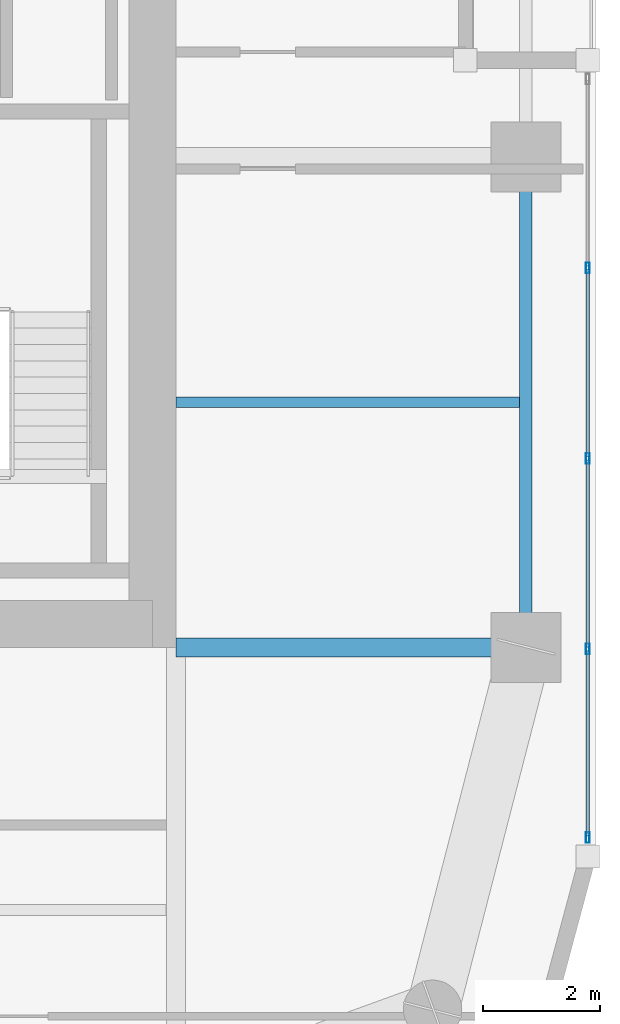
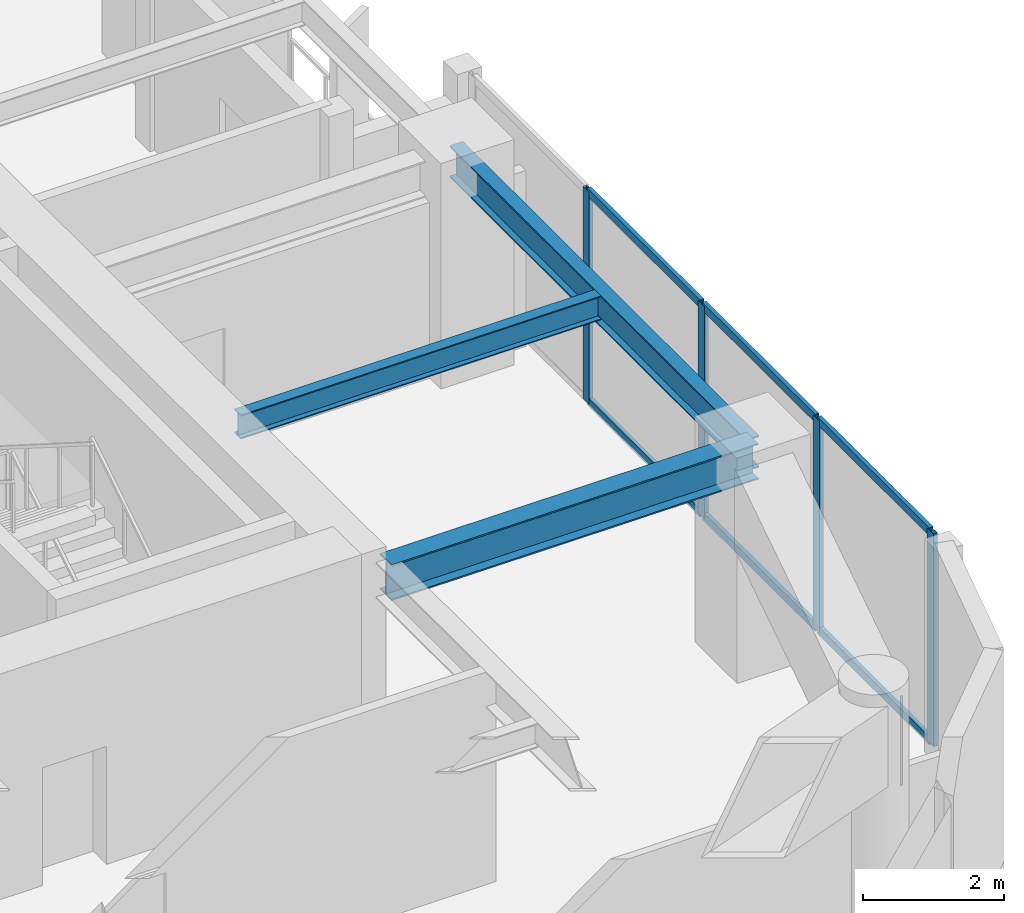
# One storey, part 9 of 30: 10 members, 3 beams, 1 element without a shape of its own.
"""IFC4 building model written with IfcOpenShell, lengths in metres."""

import ifcopenshell
import ifcopenshell.guid

model = None  # the IFC model being written
_history = None  # IfcOwnerHistory: only IFC2X3 demands one
_inside = {}  # id of a spatial element -> (the spatial element, [elements in it])
_under = {}  # id of a project, library or spatial element -> (it, [spatial elements below it])
_declared = {}  # id of a project -> (the project, [libraries it declares])
_typed = {}  # id of a type object -> (the type object, [elements of that type])
_made_of = {}  # id of a material, layer set ... -> (it, [elements and type objects made of it])


def new_model(schema):
    """Start an empty IFC model of exactly this schema.

    Asked for "IFC4X3", IfcOpenShell would pick the latest addendum, in which some entities
    have other attributes; the version numbers below select the first issue.
    IFC2X3 requires an IfcOwnerHistory on every rooted entity: one is made here for all.
    """
    global model, _history
    if schema == "IFC4X3":
        model = ifcopenshell.file(schema_version=(4, 3, 0, 0))
    else:
        model = ifcopenshell.file(schema=schema)
    _inside.clear()
    _under.clear()
    _declared.clear()
    _typed.clear()
    _made_of.clear()
    _history = None
    if model.schema == "IFC2X3":
        org = make("IfcOrganization", Name="unknown")
        user = make(
            "IfcPersonAndOrganization",
            ThePerson=make("IfcPerson", FamilyName="unknown"),
            TheOrganization=org,
        )
        app = make(
            "IfcApplication",
            ApplicationDeveloper=org,
            Version="unknown",
            ApplicationFullName="unknown",
            ApplicationIdentifier="unknown",
        )
        _history = make(
            "IfcOwnerHistory",
            OwningUser=user,
            OwningApplication=app,
            ChangeAction="ADDED",
            CreationDate=0,
        )
    return model


def make(cls, **values):
    """One entity of the class cls with the attributes given. An attribute that is None is left unset."""
    return model.create_entity(
        cls, **{name: value for name, value in values.items() if value is not None}
    )


def rooted(cls, **values):
    """An entity with a GlobalId (a new one), such as an element, a storey or a relation."""
    return make(cls, GlobalId=ifcopenshell.guid.new(), OwnerHistory=_history, **values)


def si_unit(unit_type, name, prefix=None):
    """IfcSIUnit, for example si_unit("LENGTHUNIT", "METRE", prefix="MILLI")."""
    return make("IfcSIUnit", UnitType=unit_type, Prefix=prefix, Name=name)


def assignment(units):
    """IfcUnitAssignment: the units of a project."""
    return None if units is None else make("IfcUnitAssignment", Units=units)


def point(xyz):
    """IfcCartesianPoint."""
    return None if xyz is None else make("IfcCartesianPoint", Coordinates=xyz)


def direction(xyz):
    """IfcDirection."""
    return None if xyz is None else make("IfcDirection", DirectionRatios=xyz)


def frame(location, z_axis=None, x_axis=None):
    """IfcAxis2Placement3D, a coordinate frame: its origin and axes. An axis left out is left unset."""
    return make(
        "IfcAxis2Placement3D",
        Location=point(location),
        Axis=direction(z_axis),
        RefDirection=direction(x_axis),
    )


def frame_2d(location, x_axis=None):
    """IfcAxis2Placement2D, a coordinate frame in the plane: its origin and x axis."""
    return make(
        "IfcAxis2Placement2D", Location=point(location), RefDirection=direction(x_axis)
    )


def origin():
    """The frame at (0, 0, 0) with its axes left unset."""
    return frame((0.0, 0.0, 0.0))


def origin_2d():
    """The frame at (0, 0) in the plane with its x axis left unset."""
    return frame_2d((0.0, 0.0))


def place(relative_to, where):
    """IfcLocalPlacement: puts the frame where relative to a parent placement (None: the world)."""
    return make(
        "IfcLocalPlacement", PlacementRelTo=relative_to, RelativePlacement=where
    )


def context(
    kind, dimensions, precision=None, world=None, true_north=None, identifier=None
):
    """IfcGeometricRepresentationContext, for example the 3D "Model" context."""
    return make(
        "IfcGeometricRepresentationContext",
        ContextIdentifier=identifier,
        ContextType=kind,
        CoordinateSpaceDimension=dimensions,
        Precision=precision,
        WorldCoordinateSystem=world,
        TrueNorth=true_north,
    )


def subcontext(parent, identifier, kind, view, scale=None):
    """IfcGeometricRepresentationSubContext, for example "Body" below "Model"."""
    return make(
        "IfcGeometricRepresentationSubContext",
        ContextIdentifier=identifier,
        ContextType=kind,
        ParentContext=parent,
        TargetScale=scale,
        TargetView=view,
    )


def project(units=None, contexts=None):
    """IfcProject with its units and contexts."""
    return rooted(
        "IfcProject",
        Name="project",
        RepresentationContexts=contexts,
        UnitsInContext=assignment(units),
    )


def spatial(cls, under=None, at=None, **own):
    """A site, building, storey or space (cls), placed at a placement, below another one or the project."""
    s = rooted(cls, ObjectPlacement=at, **own)
    if under is not None:
        _under.setdefault(under.id(), (under, []))[1].append(s)
    return s


def profile(cls, at=None, kind="AREA", **sizes):
    """A parametric profile (cls). Its sizes go by their IFC names, for example OverallWidth=200.0."""
    return make(cls, ProfileType=kind, Position=at, **sizes)


def hollow_rectangle(**sizes):
    """IfcRectangleHollowProfileDef."""
    return profile("IfcRectangleHollowProfileDef", **sizes)


def i_section(**sizes):
    """IfcIShapeProfileDef."""
    return profile("IfcIShapeProfileDef", **sizes)


def extrude(swept, where, along, depth):
    """IfcExtrudedAreaSolid: the profile swept, set in the frame where, extruded along a direction by depth."""
    return make(
        "IfcExtrudedAreaSolid",
        SweptArea=swept,
        Position=where,
        ExtrudedDirection=direction(along),
        Depth=depth,
    )


def shape(context_of_items, identifier, shape_type, items):
    """IfcShapeRepresentation: the items that make up one representation, for example the "Body"."""
    return make(
        "IfcShapeRepresentation",
        ContextOfItems=context_of_items,
        RepresentationIdentifier=identifier,
        RepresentationType=shape_type,
        Items=items,
    )


def material(Name=None, Category=None):
    """IfcMaterial."""
    return make("IfcMaterial", Name=Name, Category=Category)


def layer(
    of_material, thickness, ventilated=None, Name=None, Category=None, Priority=None
):
    """IfcMaterialLayer: one layer of a wall or slab, of a material (None: an air gap)."""
    return make(
        "IfcMaterialLayer",
        Material=of_material,
        LayerThickness=thickness,
        IsVentilated=ventilated,
        Name=Name,
        Category=Category,
        Priority=Priority,
    )


def layer_set(layers, Name=None):
    """IfcMaterialLayerSet."""
    return make("IfcMaterialLayerSet", MaterialLayers=layers, LayerSetName=Name)


def material_profile(
    of_material, cross_section, Name=None, Category=None, Priority=None
):
    """IfcMaterialProfile: a cross section and its material."""
    return make(
        "IfcMaterialProfile",
        Name=Name,
        Material=of_material,
        Profile=cross_section,
        Priority=Priority,
        Category=Category,
    )


def profile_set(profiles, Name=None, composite=None):
    """IfcMaterialProfileSet."""
    return make(
        "IfcMaterialProfileSet",
        Name=Name,
        MaterialProfiles=profiles,
        CompositeProfile=composite,
    )


def made_of(thing, what):
    """Note that an element or type object is made of a material, layer set ...; save() writes the relation."""
    if what is not None:
        _made_of.setdefault(what.id(), (what, []))[1].append(thing)
    return thing


def type_object(cls, material=None, **own):
    """A type object (cls), such as IfcWallType, which elements share."""
    return made_of(rooted(cls, **own), material)


def element(
    cls,
    number,
    at=None,
    inside=None,
    cuts=None,
    type_object=None,
    material=None,
    context=None,
    identifier="Body",
    shape_type=None,
    held_by="IfcProductDefinitionShape",
    body=None,
    shapes=None,
    **own,
):
    """One element of the class cls, such as IfcWall. Its Tag is "e" and its number.

    at: its placement. inside: the storey or other place that contains it. cuts: it is an
    opening in that element (IfcRelVoidsElement). A single representation is given by context,
    identifier, shape_type and body (its items); several are given by shapes. held_by: the class
    of the entity that holds the representations. save() writes the other relations.
    """
    e = rooted(cls, Tag="e%d" % number, ObjectPlacement=at, **own)
    if body is not None:
        shapes = [shape(context, identifier, shape_type, body)]
    if shapes is not None:
        e.Representation = make(held_by, Representations=shapes)
    if inside is not None:
        _inside.setdefault(inside.id(), (inside, []))[1].append(e)
    if cuts is not None:
        rooted(
            "IfcRelVoidsElement", RelatingBuildingElement=cuts, RelatedOpeningElement=e
        )
    if type_object is not None:
        _typed.setdefault(type_object.id(), (type_object, []))[1].append(e)
    return made_of(e, material)


def aggregate(whole, parts):
    """IfcRelAggregates: a whole, such as a stair, and the parts it consists of."""
    return rooted("IfcRelAggregates", RelatingObject=whole, RelatedObjects=parts)


def save(model, path):
    """Write the relations noted so far, then the file.

    IfcRelAggregates (storeys below a building ...), IfcRelContainedInSpatialStructure (elements
    in a storey), IfcRelDefinesByType, IfcRelAssociatesMaterial and IfcRelDeclares: one each for
    every whole, place, type object, material and project.
    """
    for whole, parts in _under.values():
        aggregate(whole, parts)
    for where, things in _inside.values():
        rooted(
            "IfcRelContainedInSpatialStructure",
            RelatedElements=things,
            RelatingStructure=where,
        )
    for kind, things in _typed.values():
        rooted("IfcRelDefinesByType", RelatedObjects=things, RelatingType=kind)
    for what, things in _made_of.values():
        rooted("IfcRelAssociatesMaterial", RelatedObjects=things, RelatingMaterial=what)
    for by, libraries in _declared.values():
        rooted("IfcRelDeclares", RelatingContext=by, RelatedDefinitions=libraries)
    model.write(path)


model = new_model("IFC4")

# Units and contexts
model_context = context("Model", 3, precision=1e-05, world=origin(), true_north=direction((0.0, 1.0)))
body_context = subcontext(model_context, "Body", "Model", "MODEL_VIEW")
ifc_project = project(units=[si_unit("LENGTHUNIT", "METRE"), si_unit("AREAUNIT", "SQUARE_METRE"), si_unit("VOLUMEUNIT", "CUBIC_METRE"), si_unit("PLANEANGLEUNIT", "RADIAN"), si_unit("MASSUNIT", "GRAM", prefix="KILO")], contexts=[model_context])

# Site, building, storey
site_placement = place(None, origin())
site = spatial("IfcSite", under=ifc_project, at=site_placement, CompositionType="ELEMENT")
building_placement = place(site_placement, origin())
building = spatial("IfcBuilding", under=site, at=building_placement, Name="Kiyonajd Concourse Tower", CompositionType="ELEMENT")
storey_placement = place(building_placement, frame((0.0, 0.0, 177.89990234375)))
storey = spatial("IfcBuildingStorey", under=building, at=storey_placement, Name="L45", CompositionType="ELEMENT", Elevation=177.89990234375)

# Beams
ifc_material_1 = material(Name="Steel ASTM A992 Grade 50", Category="steel")
ifc_material_profile_1 = material_profile(ifc_material_1, i_section(OverallWidth=0.180908203125, OverallDepth=0.4169921875, WebThickness=0.010986328125, FlangeThickness=0.018310546875, at=origin_2d()), Name="W410X85")
ifc_profile_set_1 = profile_set([ifc_material_profile_1], Name="Steel ASTM A992 Grade 50")
beam_type_1 = type_object("IfcBeamType", Name="BM-JST-410", PredefinedType="JOIST", material=ifc_profile_set_1)
beam_1_placement = place(storey_placement, frame((63.60009765625, 31.800048828125, 3.4716796875), z_axis=(1.0, 0.0, 0.0), x_axis=(0.0, 1.0, 0.0)))
element("IfcBeam", 1, at=beam_1_placement, inside=storey, type_object=beam_type_1, Name="L45 East Secondary Floor Joist", PredefinedType="JOIST", context=body_context, shape_type="SweptSolid", body=[
    extrude(i_section(OverallWidth=0.180908203125, OverallDepth=0.4169921875, WebThickness=0.010986328125, FlangeThickness=0.018310546875, at=origin_2d()), origin(), (0.0, 0.0, 1.0), 5.892822265625),
])
ifc_material_profile_2 = material_profile(ifc_material_1, i_section(OverallWidth=0.214111328125, OverallDepth=0.549072265625, WebThickness=0.0146484375, FlangeThickness=0.023681640625, at=origin_2d()), Name="W530X138")
ifc_profile_set_2 = profile_set([ifc_material_profile_2], Name="Steel ASTM A992 Grade 50")
beam_type_2 = type_object("IfcBeamType", Name="BM-SPAN-530A", PredefinedType="SPANDREL", material=ifc_profile_set_2)
beam_2_placement = place(storey_placement, frame((69.60009765625, 27.60009765625, 3.405517578125), z_axis=(0.0, 1.0, 0.0), x_axis=(-1.0, 0.0, 0.0)))
element("IfcBeam", 2, at=beam_2_placement, inside=storey, type_object=beam_type_2, Name="L45 Perimeter Bundled Tube Spandrel", PredefinedType="SPANDREL", context=body_context, shape_type="SweptSolid", body=[
    extrude(i_section(OverallWidth=0.214111328125, OverallDepth=0.549072265625, WebThickness=0.0146484375, FlangeThickness=0.023681640625, at=origin_2d()), origin(), (0.0, 0.0, 1.0), 8.39990234375),
])
ifc_material_profile_3 = material_profile(ifc_material_1, i_section(OverallWidth=0.326904296875, OverallDepth=0.6220703125, WebThickness=0.015380859375, FlangeThickness=0.0244140625, at=origin_2d()), Name="W610X195")
ifc_profile_set_3 = profile_set([ifc_material_profile_3], Name="Steel ASTM A992 Grade 50")
beam_type_3 = type_object("IfcBeamType", Name="BM-TWR-610A", PredefinedType="BEAM", material=ifc_profile_set_3)
beam_3_placement = place(storey_placement, frame((63.60009765625, 27.60009765625, 3.369140625), z_axis=(1.0, 0.0, 0.0), x_axis=(0.0, 1.0, 0.0)))
element("IfcBeam", 3, at=beam_3_placement, inside=storey, type_object=beam_type_3, Name="L45 East Lease Girder", PredefinedType="BEAM", context=body_context, shape_type="SweptSolid", body=[
    extrude(i_section(OverallWidth=0.326904296875, OverallDepth=0.6220703125, WebThickness=0.015380859375, FlangeThickness=0.0244140625, at=origin_2d()), origin(), (0.0, 0.0, 1.0), 6.0),
])

# Curtain wall, members
ifc_material_2 = material(Name="Thermally Broken Anodised Aluminium", Category="aluminium")
ifc_layer = layer(ifc_material_2, 0.179931640625)
ifc_layer_set = layer_set([ifc_layer], Name="Thermally Broken Anodised Aluminium")
curtain_wall_type = type_object("IfcCurtainWallType", Name="CW-SYS-03", PredefinedType="NOTDEFINED", material=ifc_layer_set)
curtain_wall_placement = place(storey_placement, origin())
curtain_wall = element("IfcCurtainWall", 4, at=curtain_wall_placement, inside=storey, type_object=curtain_wall_type, Name="L45 Unitised Curtain Wall CW3", PredefinedType="NOTDEFINED")
ifc_material_profile_4 = material_profile(ifc_material_2, hollow_rectangle(XDim=0.06494140625, YDim=0.179931640625, WallThickness=0.00390625, at=origin_2d()), Name="MULL-65x180")
ifc_profile_set_4 = profile_set([ifc_material_profile_4], Name="Thermally Broken Anodised Aluminium")
member_type_1 = type_object("IfcMemberType", Name="MB-CW-MULL1", PredefinedType="MULLION", material=ifc_profile_set_4)
member_1_placement = place(storey_placement, frame((70.659912109375, 34.1044921875, 0.0), z_axis=(0.0, 0.0, 1.0), x_axis=(1.0, 0.0, 0.0)))
member_1 = element("IfcMember", 5, at=member_1_placement, type_object=member_type_1, Name="CW3 mullion 2", PredefinedType="MULLION", context=body_context, shape_type="SweptSolid", body=[
    extrude(hollow_rectangle(XDim=0.06494140625, YDim=0.179931640625, WallThickness=0.00390625, at=origin_2d()), origin(), (0.0, 0.0, 1.0), 3.68017578125),
])
member_2_placement = place(storey_placement, frame((70.659912109375, 30.839111328125, 0.0), z_axis=(0.0, 0.0, 1.0), x_axis=(1.0, 0.0, 0.0)))
member_2 = element("IfcMember", 6, at=member_2_placement, type_object=member_type_1, Name="CW3 mullion 3", PredefinedType="MULLION", context=body_context, shape_type="SweptSolid", body=[
    extrude(hollow_rectangle(XDim=0.06494140625, YDim=0.179931640625, WallThickness=0.00390625, at=origin_2d()), origin(), (0.0, 0.0, 1.0), 3.68017578125),
])
member_3_placement = place(storey_placement, frame((70.659912109375, 27.57373046875, 0.0), z_axis=(0.0, 0.0, 1.0), x_axis=(1.0, 0.0, 0.0)))
member_3 = element("IfcMember", 7, at=member_3_placement, type_object=member_type_1, Name="CW3 mullion 4", PredefinedType="MULLION", context=body_context, shape_type="SweptSolid", body=[
    extrude(hollow_rectangle(XDim=0.06494140625, YDim=0.179931640625, WallThickness=0.00390625, at=origin_2d()), origin(), (0.0, 0.0, 1.0), 3.68017578125),
])
member_4_placement = place(storey_placement, frame((70.659912109375, 24.3408203125, 0.0), z_axis=(0.0, 0.0, 1.0), x_axis=(1.0, 0.0, 0.0)))
member_4 = element("IfcMember", 8, at=member_4_placement, type_object=member_type_1, Name="CW3 mullion 5", PredefinedType="MULLION", context=body_context, shape_type="SweptSolid", body=[
    extrude(hollow_rectangle(XDim=0.06494140625, YDim=0.179931640625, WallThickness=0.00390625, at=origin_2d()), origin(), (0.0, 0.0, 1.0), 3.68017578125),
])
ifc_material_profile_5 = material_profile(ifc_material_2, hollow_rectangle(XDim=0.06494140625, YDim=0.139892578125, WallThickness=0.00390625, at=origin_2d()), Name="TRAN-65x140")
ifc_profile_set_5 = profile_set([ifc_material_profile_5], Name="Thermally Broken Anodised Aluminium")
member_type_2 = type_object("IfcMemberType", Name="MB-CW-TRAN1", PredefinedType="USERDEFINED", material=ifc_profile_set_5)
member_5_placement = place(storey_placement, frame((70.659912109375, 34.072021484375, 0.03271484375), z_axis=(0.0, -1.0, 0.0), x_axis=(1.0, 0.0, 0.0)))
member_5 = element("IfcMember", 9, at=member_5_placement, type_object=member_type_2, Name="CW3 transom 2.1", ObjectType="TRANSOM", PredefinedType="USERDEFINED", context=body_context, shape_type="SweptSolid", body=[
    extrude(hollow_rectangle(XDim=0.06494140625, YDim=0.139892578125, WallThickness=0.00390625, at=origin_2d()), origin(), (0.0, 0.0, 1.0), 3.200439453125),
])
member_6_placement = place(storey_placement, frame((70.659912109375, 34.072021484375, 3.647705078125), z_axis=(0.0, -1.0, 0.0), x_axis=(1.0, 0.0, 0.0)))
member_6 = element("IfcMember", 10, at=member_6_placement, type_object=member_type_2, Name="CW3 transom 2.2", ObjectType="TRANSOM", PredefinedType="USERDEFINED", context=body_context, shape_type="SweptSolid", body=[
    extrude(hollow_rectangle(XDim=0.06494140625, YDim=0.139892578125, WallThickness=0.00390625, at=origin_2d()), origin(), (0.0, 0.0, 1.0), 3.200439453125),
])
member_7_placement = place(storey_placement, frame((70.659912109375, 30.806640625, 0.03271484375), z_axis=(0.0, -1.0, 0.0), x_axis=(1.0, 0.0, 0.0)))
member_7 = element("IfcMember", 11, at=member_7_placement, type_object=member_type_2, Name="CW3 transom 3.1", ObjectType="TRANSOM", PredefinedType="USERDEFINED", context=body_context, shape_type="SweptSolid", body=[
    extrude(hollow_rectangle(XDim=0.06494140625, YDim=0.139892578125, WallThickness=0.00390625, at=origin_2d()), origin(), (0.0, 0.0, 1.0), 3.200439453125),
])
member_8_placement = place(storey_placement, frame((70.659912109375, 30.806640625, 3.647705078125), z_axis=(0.0, -1.0, 0.0), x_axis=(1.0, 0.0, 0.0)))
member_8 = element("IfcMember", 12, at=member_8_placement, type_object=member_type_2, Name="CW3 transom 3.2", ObjectType="TRANSOM", PredefinedType="USERDEFINED", context=body_context, shape_type="SweptSolid", body=[
    extrude(hollow_rectangle(XDim=0.06494140625, YDim=0.139892578125, WallThickness=0.00390625, at=origin_2d()), origin(), (0.0, 0.0, 1.0), 3.200439453125),
])
member_9_placement = place(storey_placement, frame((70.659912109375, 27.541259765625, 0.03271484375), z_axis=(0.0, -1.0, 0.0), x_axis=(1.0, 0.0, 0.0)))
member_9 = element("IfcMember", 13, at=member_9_placement, type_object=member_type_2, Name="CW3 transom 4.1", ObjectType="TRANSOM", PredefinedType="USERDEFINED", context=body_context, shape_type="SweptSolid", body=[
    extrude(hollow_rectangle(XDim=0.06494140625, YDim=0.139892578125, WallThickness=0.00390625, at=origin_2d()), origin(), (0.0, 0.0, 1.0), 3.16796875),
])
member_10_placement = place(storey_placement, frame((70.659912109375, 27.541259765625, 3.647705078125), z_axis=(0.0, -1.0, 0.0), x_axis=(1.0, 0.0, 0.0)))
member_10 = element("IfcMember", 14, at=member_10_placement, type_object=member_type_2, Name="CW3 transom 4.2", ObjectType="TRANSOM", PredefinedType="USERDEFINED", context=body_context, shape_type="SweptSolid", body=[
    extrude(hollow_rectangle(XDim=0.06494140625, YDim=0.139892578125, WallThickness=0.00390625, at=origin_2d()), origin(), (0.0, 0.0, 1.0), 3.16796875),
])
aggregate(curtain_wall, [member_1, member_2, member_3, member_4, member_5, member_6, member_7, member_8, member_9, member_10])

save(model, "model.ifc")
